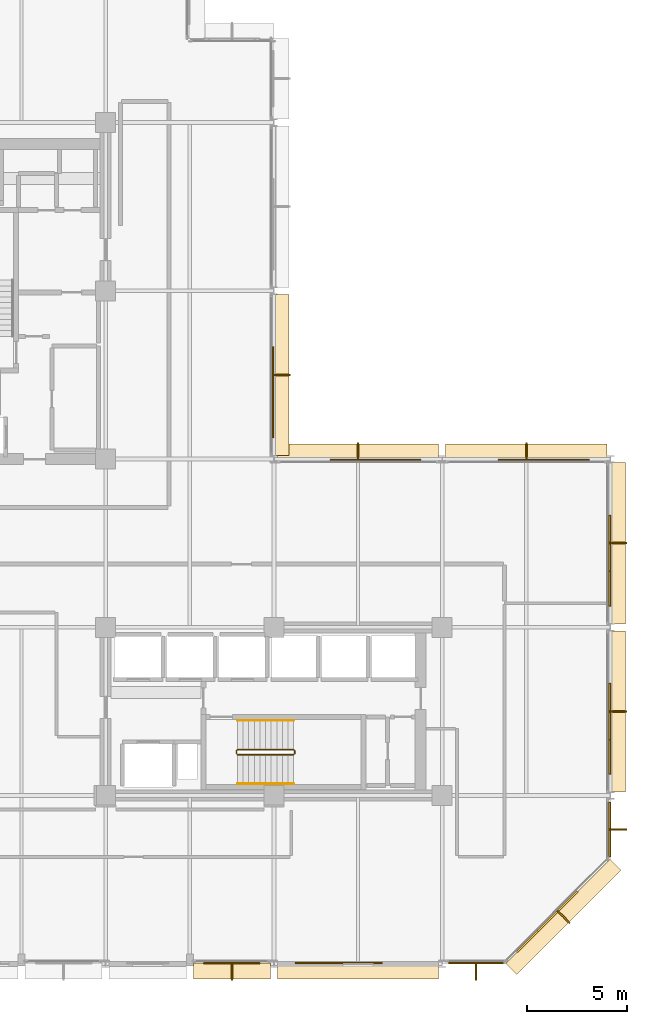
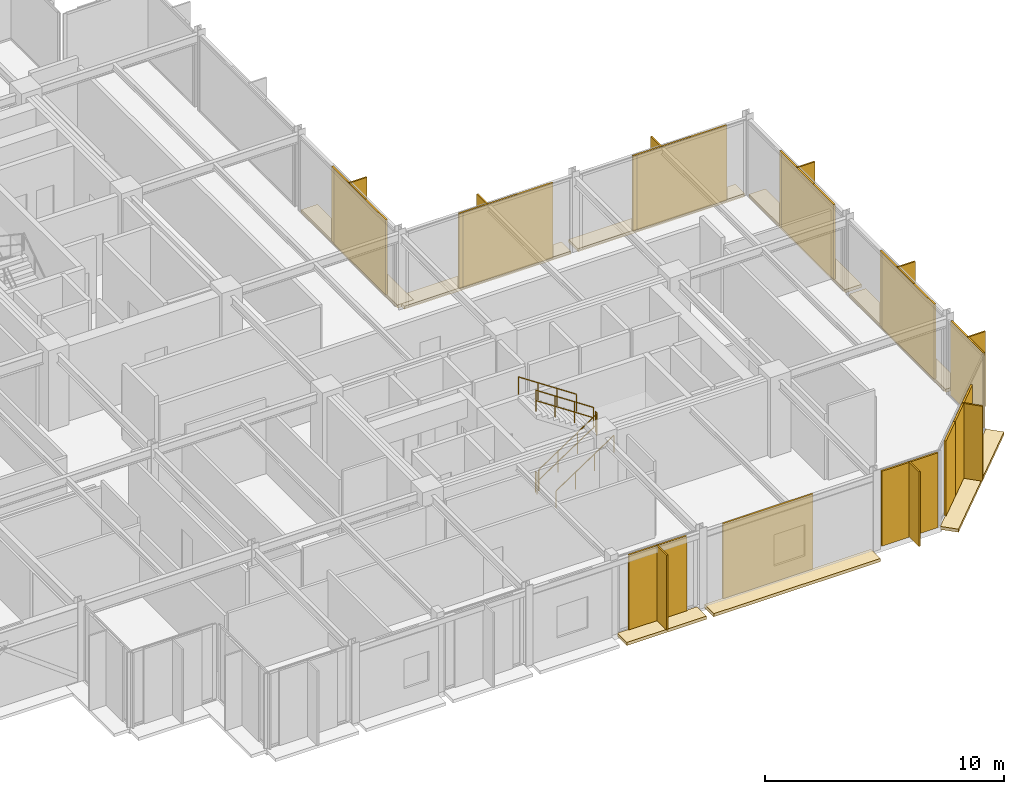
# One storey, part 29 of 30: 18 shading devices, 16 coverings, 6 railings.
"""IFC4 building model written with IfcOpenShell, lengths in metres."""

from ifc_helpers import new_model, si_unit, direction, frame, origin, origin_2d, place, context, subcontext, project, spatial, polyline, rectangle, circle, outline, extrude, material, layer, layer_set, type_object, element, save


model = new_model("IFC4")

# Units and contexts
model_context = context("Model", 3, precision=1e-05, world=origin(), true_north=direction((0.0, 1.0)))
body_context = subcontext(model_context, "Body", "Model", "MODEL_VIEW")
ifc_project = project(units=[si_unit("LENGTHUNIT", "METRE"), si_unit("AREAUNIT", "SQUARE_METRE"), si_unit("VOLUMEUNIT", "CUBIC_METRE"), si_unit("PLANEANGLEUNIT", "RADIAN"), si_unit("MASSUNIT", "GRAM", prefix="KILO")], contexts=[model_context])

# Site, building, storey
site_placement = place(None, origin())
site = spatial("IfcSite", under=ifc_project, at=site_placement, CompositionType="ELEMENT")
building_placement = place(site_placement, origin())
building = spatial("IfcBuilding", under=site, at=building_placement, Name="Nerrivon Quay Data Exchange", CompositionType="ELEMENT")
storey_placement = place(building_placement, frame((0.0, 0.0, 171.39990234375)))
storey = spatial("IfcBuildingStorey", under=building, at=storey_placement, Name="L40", CompositionType="ELEMENT", Elevation=171.39990234375)

# Coverings
ifc_material_1 = material(Name="Architectural terracotta ceramic", Category="masonry")
ifc_layer_1 = layer(ifc_material_1, 0.159912109375)
ifc_layer_set_1 = layer_set([ifc_layer_1], Name="Architectural terracotta ceramic")
covering_type_1 = type_object("IfcCoveringType", Name="COV-BLD-TERR", PredefinedType="CLADDING", material=ifc_layer_set_1)
covering_1_placement = place(storey_placement, frame((0.0, 0.0, -0.159912109375)))
element("IfcCovering", 1, at=covering_1_placement, inside=storey, type_object=covering_type_1, Name="L40 Horizontal Terracotta SOLAR SCREEN Blade", PredefinedType="CLADDING", context=body_context, shape_type="SweptSolid", body=[
    extrude(outline(polyline([(25.159912109375, 33.425048828125), (25.159912109375, 25.375), (25.949951171875, 25.375), (25.949951171875, 33.425048828125), (25.159912109375, 33.425048828125)])), origin(), (0.0, 0.0, 1.0), 0.159912109375),
])
covering_2_placement = place(storey_placement, frame((0.0, 0.0, -0.159912109375)))
element("IfcCovering", 2, at=covering_2_placement, inside=storey, type_object=covering_type_1, Name="L40 Horizontal Terracotta SOLAR SCREEN Blade", PredefinedType="CLADDING", context=body_context, shape_type="SweptSolid", body=[
    extrude(outline(polyline([(25.375, 25.159912109375), (33.425048828125, 25.159912109375), (33.425048828125, 25.949951171875), (25.375, 25.949951171875), (25.375, 25.159912109375)])), origin(), (0.0, 0.0, 1.0), 0.159912109375),
])
covering_3_placement = place(storey_placement, frame((0.0, 0.0, -0.159912109375)))
element("IfcCovering", 3, at=covering_3_placement, inside=storey, type_object=covering_type_1, Name="L40 Horizontal Terracotta SOLAR SCREEN Blade", PredefinedType="CLADDING", context=body_context, shape_type="SweptSolid", body=[
    extrude(outline(polyline([(33.77490234375, 25.159912109375), (41.824951171875, 25.159912109375), (41.824951171875, 25.949951171875), (33.77490234375, 25.949951171875), (33.77490234375, 25.159912109375)])), origin(), (0.0, 0.0, 1.0), 0.159912109375),
])
covering_4_placement = place(storey_placement, frame((0.0, 0.0, -0.159912109375)))
element("IfcCovering", 4, at=covering_4_placement, inside=storey, type_object=covering_type_1, Name="L40 Horizontal Terracotta SOLAR SCREEN Blade", PredefinedType="CLADDING", context=body_context, shape_type="SweptSolid", body=[
    extrude(outline(polyline([(41.9599609375, 25.02490234375), (41.9599609375, 16.97509765625), (42.75, 16.97509765625), (42.75, 25.02490234375), (41.9599609375, 25.02490234375)])), origin(), (0.0, 0.0, 1.0), 0.159912109375),
])
covering_5_placement = place(storey_placement, frame((0.0, 0.0, -0.159912109375)))
element("IfcCovering", 5, at=covering_5_placement, inside=storey, type_object=covering_type_1, Name="L40 Horizontal Terracotta SOLAR SCREEN Blade", PredefinedType="CLADDING", context=body_context, shape_type="SweptSolid", body=[
    extrude(outline(polyline([(41.9599609375, 16.625), (41.9599609375, 8.574951171875), (42.75, 8.574951171875), (42.75, 16.625), (41.9599609375, 16.625)])), origin(), (0.0, 0.0, 1.0), 0.159912109375),
])
covering_6_placement = place(storey_placement, frame((0.0, 0.0, -0.159912109375)))
element("IfcCovering", 6, at=covering_6_placement, inside=storey, type_object=covering_type_1, Name="L40 Horizontal Terracotta SOLAR SCREEN Blade", PredefinedType="CLADDING", context=body_context, shape_type="SweptSolid", body=[
    extrude(outline(polyline([(41.9716796875, 5.228271484375), (36.771728515625, 0.0283203125), (37.330322265625, -0.5302734375), (42.5302734375, 4.669677734375), (41.9716796875, 5.228271484375)])), origin(), (0.0, 0.0, 1.0), 0.159912109375),
])
covering_7_placement = place(storey_placement, frame((0.0, 0.0, -0.159912109375)))
element("IfcCovering", 7, at=covering_7_placement, inside=storey, type_object=covering_type_1, Name="L40 Horizontal Terracotta SOLAR SCREEN Blade", PredefinedType="CLADDING", context=body_context, shape_type="SweptSolid", body=[
    extrude(outline(polyline([(33.425048828125, 0.0400390625), (25.375, 0.0400390625), (25.375, -0.75), (33.425048828125, -0.75), (33.425048828125, 0.0400390625)])), origin(), (0.0, 0.0, 1.0), 0.159912109375),
])
covering_8_placement = place(storey_placement, frame((0.0, 0.0, -0.159912109375)))
element("IfcCovering", 8, at=covering_8_placement, inside=storey, type_object=covering_type_1, Name="L40 Horizontal Terracotta SOLAR SCREEN Blade", PredefinedType="CLADDING", context=body_context, shape_type="SweptSolid", body=[
    extrude(outline(polyline([(25.02490234375, 0.0400390625), (21.175048828125, 0.0400390625), (21.175048828125, -0.75), (25.02490234375, -0.75), (25.02490234375, 0.0400390625)])), origin(), (0.0, 0.0, 1.0), 0.159912109375),
])
ifc_layer_2 = layer(ifc_material_1, 0.090087890625)
ifc_layer_set_2 = layer_set([ifc_layer_2], Name="Architectural terracotta ceramic")
covering_type_2 = type_object("IfcCoveringType", Name="COV-SCR-TERR", PredefinedType="CLADDING", material=ifc_layer_set_2)
for number, where, z_axis, x_axis, name in (
    (9, (25.155029296875, 28.43408203125, 0.0), (0.0, 0.0, 1.0), (0.0, -1.0, 0.0), "L40 Perforated Terracotta SOLAR SCREEN Cassette"),
    (10, (30.365966796875, 25.155029296875, 0.0), (0.0, 0.0, 1.0), (1.0, 0.0, 0.0), "L40 Perforated Terracotta SOLAR SCREEN Cassette"),
    (11, (38.76611328125, 25.155029296875, 0.0), (0.0, 0.0, 1.0), (1.0, 0.0, 0.0), "L40 Perforated Terracotta SOLAR SCREEN Cassette"),
    (12, (41.955078125, 20.033935546875, 0.0), (0.0, 0.0, 1.0), (0.0, -1.0, 0.0), "L40 Perforated Terracotta SOLAR SCREEN Cassette"),
    (13, (41.955078125, 11.634033203125, 0.0), (0.0, 0.0, 1.0), (0.0, -1.0, 0.0), "L40 Perforated Terracotta SOLAR SCREEN Cassette"),
):
    element("IfcCovering", number, at=place(storey_placement, frame(where, z_axis=z_axis, x_axis=x_axis)), inside=storey, type_object=covering_type_2, Name=name, PredefinedType="CLADDING", context=body_context, shape_type="SweptSolid", body=[
        extrude(rectangle(XDim=4.346923828125, YDim=0.090087890625, at=origin_2d()), origin(), (0.0, 0.0, 1.0), 3.824951171875),
    ])
covering_9_placement = place(storey_placement, frame((38.744140625, 2.0078125, 0.0), z_axis=(0.0, 0.0, 1.0), x_axis=(-0.707106781187, -0.707106781187, 0.0)))
element("IfcCovering", 14, at=covering_9_placement, inside=storey, type_object=covering_type_2, Name="L40 Perforated Terracotta SOLAR SCREEN Cassette", PredefinedType="CLADDING", context=body_context, shape_type="SweptSolid", body=[
    extrude(rectangle(XDim=3.970947265625, YDim=0.090087890625, at=origin_2d()), origin(), (0.0, 0.0, 1.0), 3.824951171875),
])
covering_10_placement = place(storey_placement, frame((28.43408203125, 0.044921875, 0.0), z_axis=(0.0, 0.0, 1.0), x_axis=(-1.0, 0.0, 0.0)))
element("IfcCovering", 15, at=covering_10_placement, inside=storey, type_object=covering_type_2, Name="L40 Perforated Terracotta SOLAR SCREEN Cassette", PredefinedType="CLADDING", context=body_context, shape_type="SweptSolid", body=[
    extrude(rectangle(XDim=4.346923828125, YDim=0.090087890625, at=origin_2d()), origin(), (0.0, 0.0, 1.0), 3.824951171875),
])
covering_11_placement = place(storey_placement, frame((23.10009765625, 0.044921875, 0.0), z_axis=(0.0, 0.0, 1.0), x_axis=(-1.0, 0.0, 0.0)))
element("IfcCovering", 16, at=covering_11_placement, inside=storey, type_object=covering_type_2, Name="L40 Perforated Terracotta SOLAR SCREEN Cassette", PredefinedType="CLADDING", context=body_context, shape_type="SweptSolid", body=[
    extrude(rectangle(XDim=2.0791015625, YDim=0.090087890625, at=origin_2d()), origin(), (0.0, 0.0, 1.0), 3.824951171875),
])

# Railings
ifc_material_2 = material(Name="Steel Grade C350L0 (350 MPa)", Category="steel")
railing_type_1 = type_object("IfcRailingType", Name="RAIL-HAND-HR1", PredefinedType="HANDRAIL", material=ifc_material_2)
railing_1_placement = place(storey_placement, frame((23.3798828125, 9.0, 0.1865234375)))
element("IfcRailing", 17, at=railing_1_placement, inside=storey, type_object=railing_type_1, Name="L40 ST02 stair handrail 1", PredefinedType="HANDRAIL", context=body_context, shape_type="SweptSolid", body=[
    extrude(circle(Radius=0.02392578125, at=origin_2d()), frame((0.0, 0.0, 0.8759765625), z_axis=(0.832485552168, 0.0, 0.554046753832), x_axis=(0.0, 1.0, 0.0)), (0.0, 0.0, 1.0), 3.363525390625),
    extrude(circle(Radius=0.02099609375, at=origin_2d()), origin(), (0.0, 0.0, 1.0), 0.851806640625),
    extrude(circle(Radius=0.02099609375, at=origin_2d()), frame((0.933349609375, 0.0, 0.62109375)), (0.0, 0.0, 1.0), 0.851806640625),
    extrude(circle(Radius=0.02099609375, at=origin_2d()), frame((1.86669921875, 0.0, 1.242431640625)), (0.0, 0.0, 1.0), 0.851806640625),
    extrude(circle(Radius=0.02099609375, at=origin_2d()), frame((2.800048828125, 0.0, 1.863525390625)), (0.0, 0.0, 1.0), 0.851806640625),
])
railing_2_placement = place(storey_placement, frame((26.179931640625, 12.14990234375, 2.236572265625)))
element("IfcRailing", 18, at=railing_2_placement, inside=storey, type_object=railing_type_1, Name="L40 ST02 stair handrail 2", PredefinedType="HANDRAIL", context=body_context, shape_type="SweptSolid", body=[
    extrude(circle(Radius=0.02392578125, at=origin_2d()), frame((0.0, 0.0, 0.8759765625), z_axis=(-0.832485552168, 0.0, 0.554046753832), x_axis=(0.0, -1.0, 0.0)), (0.0, 0.0, 1.0), 3.363525390625),
    extrude(circle(Radius=0.02099609375, at=origin_2d()), origin(), (0.0, 0.0, 1.0), 0.851806640625),
    extrude(circle(Radius=0.02099609375, at=origin_2d()), frame((-0.933349609375, 0.0, 0.62109375)), (0.0, 0.0, 1.0), 0.851806640625),
    extrude(circle(Radius=0.02099609375, at=origin_2d()), frame((-1.86669921875, 0.0, 1.242431640625)), (0.0, 0.0, 1.0), 0.851806640625),
    extrude(circle(Radius=0.02099609375, at=origin_2d()), frame((-2.800048828125, 0.0, 1.863525390625)), (0.0, 0.0, 1.0), 0.851806640625),
])
railing_type_2 = type_object("IfcRailingType", Name="RAIL-STAIR-GR1", PredefinedType="BALUSTRADE", material=ifc_material_2)
railing_3_placement = place(storey_placement, frame((23.3798828125, 10.449951171875, 0.1865234375)))
element("IfcRailing", 19, at=railing_3_placement, inside=storey, type_object=railing_type_2, Name="L40 ST02 stair guard 1", PredefinedType="BALUSTRADE", context=body_context, shape_type="SweptSolid", body=[
    extrude(circle(Radius=0.02392578125, at=origin_2d()), frame((0.0, 0.0, 1.076171875), z_axis=(0.832485552168, 0.0, 0.554046753832), x_axis=(0.0, 1.0, 0.0)), (0.0, 0.0, 1.0), 3.363525390625),
    extrude(circle(Radius=0.02392578125, at=origin_2d()), frame((0.0, 0.0, 0.550048828125), z_axis=(0.832485552168, 0.0, 0.554046753832), x_axis=(0.0, 1.0, 0.0)), (0.0, 0.0, 1.0), 3.363525390625),
    extrude(circle(Radius=0.02099609375, at=origin_2d()), origin(), (0.0, 0.0, 1.0), 1.052001953125),
    extrude(circle(Radius=0.02099609375, at=origin_2d()), frame((0.933349609375, 0.0, 0.62109375)), (0.0, 0.0, 1.0), 1.052001953125),
    extrude(circle(Radius=0.02099609375, at=origin_2d()), frame((1.86669921875, 0.0, 1.242431640625)), (0.0, 0.0, 1.0), 1.052001953125),
    extrude(circle(Radius=0.02099609375, at=origin_2d()), frame((2.800048828125, 0.0, 1.863525390625)), (0.0, 0.0, 1.0), 1.052001953125),
])
railing_4_placement = place(storey_placement, frame((26.22998046875, 10.5, 2.050048828125)))
element("IfcRailing", 20, at=railing_4_placement, inside=storey, type_object=railing_type_2, Name="L40 ST02 stair guard 2", PredefinedType="BALUSTRADE", context=body_context, shape_type="SweptSolid", body=[
    extrude(circle(Radius=0.02392578125, at=origin_2d()), frame((0.0, 0.0, 1.076171875), z_axis=(0.0, 1.0, 0.0), x_axis=(-1.0, 0.0, 0.0)), (0.0, 0.0, 1.0), 0.14990234375),
    extrude(circle(Radius=0.02392578125, at=origin_2d()), frame((0.0, 0.0, 0.550048828125), z_axis=(0.0, 1.0, 0.0), x_axis=(-1.0, 0.0, 0.0)), (0.0, 0.0, 1.0), 0.14990234375),
    extrude(circle(Radius=0.02099609375, at=origin_2d()), origin(), (0.0, 0.0, 1.0), 1.052001953125),
    extrude(circle(Radius=0.02099609375, at=origin_2d()), frame((0.0, 0.14990234375, 0.0)), (0.0, 0.0, 1.0), 1.052001953125),
])
railing_5_placement = place(storey_placement, frame((26.179931640625, 10.699951171875, 2.236572265625)))
element("IfcRailing", 21, at=railing_5_placement, inside=storey, type_object=railing_type_2, Name="L40 ST02 stair guard 3", PredefinedType="BALUSTRADE", context=body_context, shape_type="SweptSolid", body=[
    extrude(circle(Radius=0.02392578125, at=origin_2d()), frame((0.0, 0.0, 1.076171875), z_axis=(-0.832485552168, 0.0, 0.554046753832), x_axis=(0.0, -1.0, 0.0)), (0.0, 0.0, 1.0), 3.363525390625),
    extrude(circle(Radius=0.02392578125, at=origin_2d()), frame((0.0, 0.0, 0.550048828125), z_axis=(-0.832485552168, 0.0, 0.554046753832), x_axis=(0.0, -1.0, 0.0)), (0.0, 0.0, 1.0), 3.363525390625),
    extrude(circle(Radius=0.02099609375, at=origin_2d()), origin(), (0.0, 0.0, 1.0), 1.052001953125),
    extrude(circle(Radius=0.02099609375, at=origin_2d()), frame((-0.933349609375, 0.0, 0.62109375)), (0.0, 0.0, 1.0), 1.052001953125),
    extrude(circle(Radius=0.02099609375, at=origin_2d()), frame((-1.86669921875, 0.0, 1.242431640625)), (0.0, 0.0, 1.0), 1.052001953125),
    extrude(circle(Radius=0.02099609375, at=origin_2d()), frame((-2.800048828125, 0.0, 1.863525390625)), (0.0, 0.0, 1.0), 1.052001953125),
])
railing_6_placement = place(storey_placement, frame((23.330078125, 10.5, 0.0)))
element("IfcRailing", 22, at=railing_6_placement, inside=storey, type_object=railing_type_2, Name="L40 ST02 stair guard 4", PredefinedType="BALUSTRADE", context=body_context, shape_type="SweptSolid", body=[
    extrude(circle(Radius=0.02392578125, at=origin_2d()), frame((0.0, 0.0, 1.076171875), z_axis=(0.0, 1.0, 0.0), x_axis=(-1.0, 0.0, 0.0)), (0.0, 0.0, 1.0), 0.14990234375),
    extrude(circle(Radius=0.02392578125, at=origin_2d()), frame((0.0, 0.0, 0.550048828125), z_axis=(0.0, 1.0, 0.0), x_axis=(-1.0, 0.0, 0.0)), (0.0, 0.0, 1.0), 0.14990234375),
    extrude(circle(Radius=0.02099609375, at=origin_2d()), origin(), (0.0, 0.0, 1.0), 1.052001953125),
    extrude(circle(Radius=0.02099609375, at=origin_2d()), frame((0.0, 0.14990234375, 0.0)), (0.0, 0.0, 1.0), 1.052001953125),
])

# Shading devices
ifc_layer_3 = layer(ifc_material_1, 0.074951171875)
ifc_layer_set_3 = layer_set([ifc_layer_3], Name="Architectural terracotta ceramic")
shading_device_type_1 = type_object("IfcShadingDeviceType", Name="SHD-FIN-SS02", PredefinedType="USERDEFINED", material=ifc_layer_set_3)
for number, where, z_axis, x_axis, name in (
    (23, (25.580078125, 29.39990234375, 0.0), (0.0, 0.0, 1.0), (0.0, -1.0, 0.0), "L40 Subtropical Solar Fin Blade 15"),
    (24, (29.39990234375, 25.580078125, 0.0), (0.0, 0.0, 1.0), (1.0, 0.0, 0.0), "L40 Subtropical Solar Fin Blade 16"),
    (25, (37.800048828125, 25.580078125, 0.0), (0.0, 0.0, 1.0), (1.0, 0.0, 0.0), "L40 Subtropical Solar Fin Blade 17"),
    (26, (42.3798828125, 21.0, 0.0), (0.0, 0.0, 1.0), (0.0, -1.0, 0.0), "L40 Subtropical Solar Fin Blade 18"),
    (27, (42.3798828125, 12.60009765625, 0.0), (0.0, 0.0, 1.0), (0.0, -1.0, 0.0), "L40 Subtropical Solar Fin Blade 19"),
    (28, (42.3798828125, 6.71240234375, 0.0), (0.0, 0.0, 1.0), (0.0, -1.0, 0.0), "L40 Subtropical Solar Fin Blade 20"),
    (29, (39.668701171875, 2.331298828125, 0.0), (0.0, 0.0, 1.0), (-0.707106781187, -0.707106781187, 0.0), "L40 Subtropical Solar Fin Blade 21"),
    (30, (35.28759765625, -0.3798828125, 0.0), (0.0, 0.0, 1.0), (-1.0, 0.0, 0.0), "L40 Subtropical Solar Fin Blade 22"),
    (31, (23.10009765625, -0.3798828125, 0.0), (0.0, 0.0, 1.0), (-1.0, 0.0, 0.0), "L40 Subtropical Solar Fin Blade 24"),
):
    element("IfcShadingDevice", number, at=place(storey_placement, frame(where, z_axis=z_axis, x_axis=x_axis)), inside=storey, type_object=shading_device_type_1, Name=name, ObjectType="FIN", PredefinedType="USERDEFINED", context=body_context, shape_type="SweptSolid", body=[
        extrude(rectangle(XDim=0.074951171875, YDim=0.85009765625, at=origin_2d()), origin(), (0.0, 0.0, 1.0), 3.824951171875),
    ])
ifc_layer_4 = layer(ifc_material_1, 0.0849609375)
ifc_layer_set_4 = layer_set([ifc_layer_4], Name="Architectural terracotta ceramic")
shading_device_type_2 = type_object("IfcShadingDeviceType", Name="SHD-SCR-SS01", PredefinedType="USERDEFINED", material=ifc_layer_set_4)
for number, where, z_axis, x_axis, name in (
    (32, (25.159912109375, 29.39990234375, 0.0), (0.0, 0.0, 1.0), (0.0, -1.0, 0.0), "L40 Perforated Terracotta Solar Screen 15"),
    (33, (29.39990234375, 25.159912109375, 0.0), (0.0, 0.0, 1.0), (1.0, 0.0, 0.0), "L40 Perforated Terracotta Solar Screen 16"),
    (34, (37.800048828125, 25.159912109375, 0.0), (0.0, 0.0, 1.0), (1.0, 0.0, 0.0), "L40 Perforated Terracotta Solar Screen 17"),
    (35, (41.9599609375, 21.0, 0.0), (0.0, 0.0, 1.0), (0.0, -1.0, 0.0), "L40 Perforated Terracotta Solar Screen 18"),
    (36, (41.9599609375, 12.60009765625, 0.0), (0.0, 0.0, 1.0), (0.0, -1.0, 0.0), "L40 Perforated Terracotta Solar Screen 19"),
):
    element("IfcShadingDevice", number, at=place(storey_placement, frame(where, z_axis=z_axis, x_axis=x_axis)), inside=storey, type_object=shading_device_type_2, Name=name, ObjectType="SCREEN", PredefinedType="USERDEFINED", context=body_context, shape_type="SweptSolid", body=[
        extrude(rectangle(XDim=2.800048828125, YDim=0.0849609375, at=origin_2d()), origin(), (0.0, 0.0, 1.0), 3.824951171875),
    ])
shading_device_1_placement = place(storey_placement, frame((41.9599609375, 6.71240234375, 0.0), z_axis=(0.0, 0.0, 1.0), x_axis=(0.0, -1.0, 0.0)))
element("IfcShadingDevice", 37, at=shading_device_1_placement, inside=storey, type_object=shading_device_type_2, Name="L40 Perforated Terracotta Solar Screen 20", ObjectType="SCREEN", PredefinedType="USERDEFINED", context=body_context, shape_type="SweptSolid", body=[
    extrude(rectangle(XDim=2.72509765625, YDim=0.0849609375, at=origin_2d()), origin(), (0.0, 0.0, 1.0), 3.824951171875),
])
shading_device_2_placement = place(storey_placement, frame((39.37158203125, 2.62841796875, 0.0), z_axis=(0.0, 0.0, 1.0), x_axis=(-0.707106781187, -0.707106781187, 0.0)))
element("IfcShadingDevice", 38, at=shading_device_2_placement, inside=storey, type_object=shading_device_type_2, Name="L40 Perforated Terracotta Solar Screen 21", ObjectType="SCREEN", PredefinedType="USERDEFINED", context=body_context, shape_type="SweptSolid", body=[
    extrude(rectangle(XDim=2.800048828125, YDim=0.0849609375, at=origin_2d()), origin(), (0.0, 0.0, 1.0), 3.824951171875),
])
shading_device_3_placement = place(storey_placement, frame((35.28759765625, 0.0400390625, 0.0), z_axis=(0.0, 0.0, 1.0), x_axis=(-1.0, 0.0, 0.0)))
element("IfcShadingDevice", 39, at=shading_device_3_placement, inside=storey, type_object=shading_device_type_2, Name="L40 Perforated Terracotta Solar Screen 22", ObjectType="SCREEN", PredefinedType="USERDEFINED", context=body_context, shape_type="SweptSolid", body=[
    extrude(rectangle(XDim=2.72509765625, YDim=0.0849609375, at=origin_2d()), origin(), (0.0, 0.0, 1.0), 3.824951171875),
])
shading_device_4_placement = place(storey_placement, frame((23.10009765625, 0.0400390625, 0.0), z_axis=(0.0, 0.0, 1.0), x_axis=(-1.0, 0.0, 0.0)))
element("IfcShadingDevice", 40, at=shading_device_4_placement, inside=storey, type_object=shading_device_type_2, Name="L40 Perforated Terracotta Solar Screen 24", ObjectType="SCREEN", PredefinedType="USERDEFINED", context=body_context, shape_type="SweptSolid", body=[
    extrude(rectangle(XDim=2.800048828125, YDim=0.0849609375, at=origin_2d()), origin(), (0.0, 0.0, 1.0), 3.824951171875),
])

save(model, "model.ifc")
